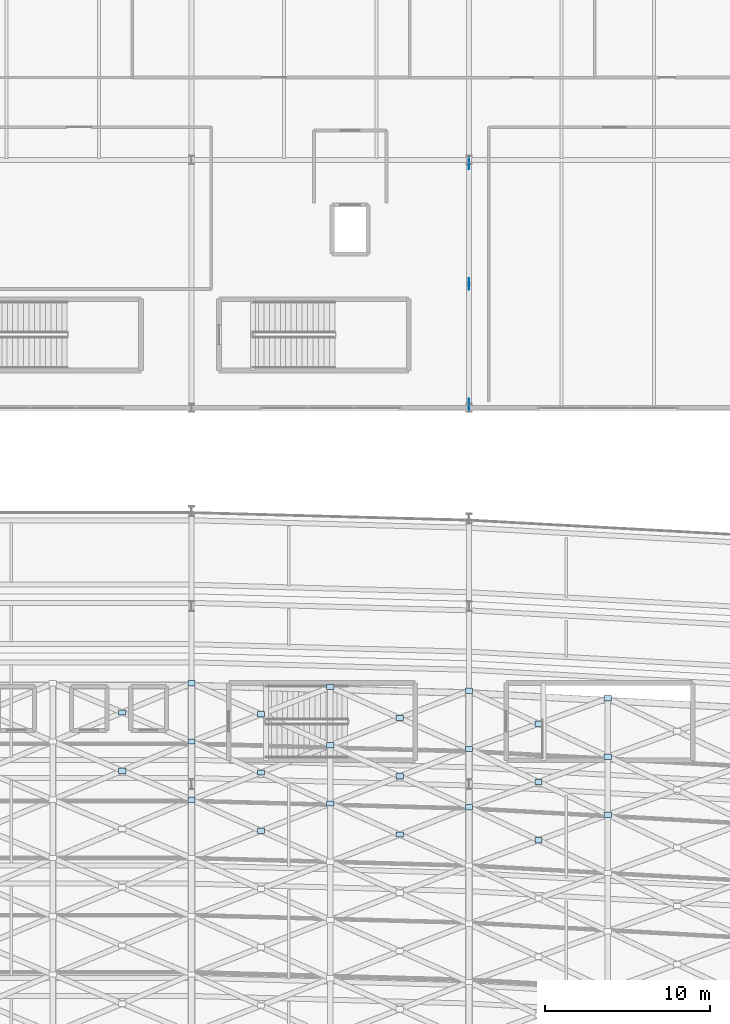
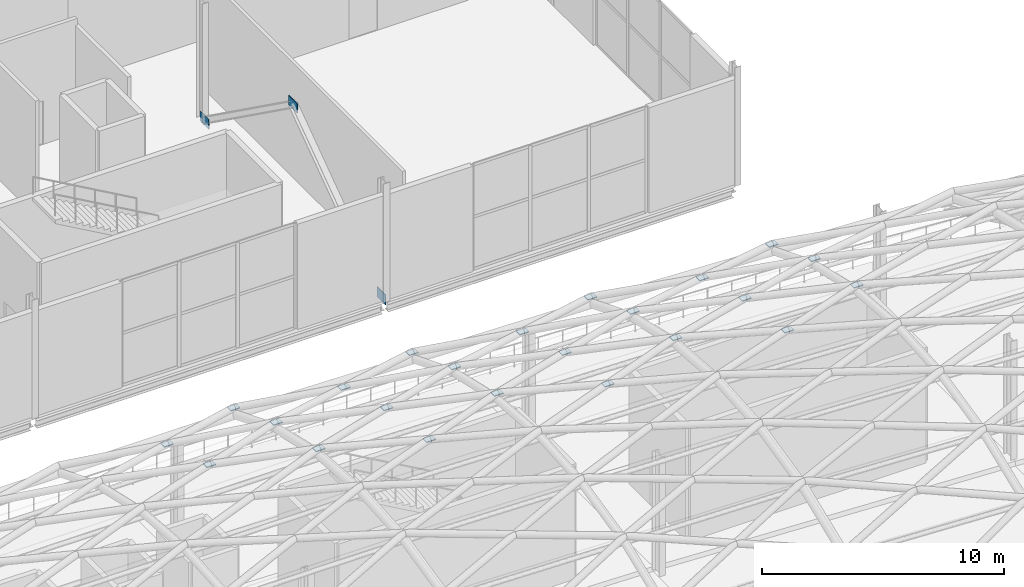
# One storey, part 77 of 100: 26 plates.
"""IFC4 building model written with IfcOpenShell, lengths in metres."""

from ifc_helpers import new_model, si_unit, direction, frame, origin, origin_2d, place, context, subcontext, project, spatial, rectangle, extrude, material, layer, layer_set, type_object, element, save


model = new_model("IFC4")

# Units and contexts
model_context = context("Model", 3, precision=1e-05, world=origin(), true_north=direction((0.0, 1.0)))
body_context = subcontext(model_context, "Body", "Model", "MODEL_VIEW")
ifc_project = project(units=[si_unit("LENGTHUNIT", "METRE"), si_unit("AREAUNIT", "SQUARE_METRE"), si_unit("VOLUMEUNIT", "CUBIC_METRE"), si_unit("PLANEANGLEUNIT", "RADIAN"), si_unit("MASSUNIT", "GRAM", prefix="KILO")], contexts=[model_context])

# Site, building, storey
site_placement = place(None, origin())
site = spatial("IfcSite", under=ifc_project, at=site_placement, CompositionType="ELEMENT")
building_placement = place(site_placement, origin())
building = spatial("IfcBuilding", under=site, at=building_placement, Name="Kimbaza Rail Terminus", CompositionType="ELEMENT")
storey_placement = place(building_placement, frame((0.0, 0.0, 10.800048828125)))
storey = spatial("IfcBuildingStorey", under=building, at=storey_placement, Name="L02", CompositionType="ELEMENT", Elevation=10.800048828125)

# Plates
ifc_material_1 = material(Name="Steel S355", Category="steel")
ifc_layer_1 = layer(ifc_material_1, 0.0400390625)
ifc_layer_set_1 = layer_set([ifc_layer_1], Name="Steel S355")
plate_type_1 = type_object("IfcPlateType", Name="STR-PL-NP01", PredefinedType="USERDEFINED", material=ifc_layer_set_1)
for number, where, z_axis, x_axis, name in (
    (1, (122.39990234375, 79.269775390625, 12.697265625), (0.0, 0.0, 1.0), (1.0, 0.0, 0.0), "Vault Node Cap Plate NP-01 VR-12/VA08"),
    (2, (122.39990234375, 82.79638671875, 11.89111328125), (0.0, 0.0, 1.0), (1.0, 0.0, 0.0), "Vault Node Cap Plate NP-01 VR-12/VA09"),
    (3, (122.39990234375, 86.322998046875, 10.479736328125), (0.0, 0.0, 1.0), (1.0, 0.0, 0.0), "Vault Node Cap Plate NP-01 VR-12/VA10"),
    (4, (130.800048828125, 79.0419921875, 12.697265625), (0.0, 0.0, 1.0), (1.0, 0.0, 0.0), "Vault Node Cap Plate NP-01 VR-13/VA08"),
    (5, (130.800048828125, 82.568603515625, 11.89111328125), (0.0, 0.0, 1.0), (1.0, 0.0, 0.0), "Vault Node Cap Plate NP-01 VR-13/VA09"),
    (6, (130.800048828125, 86.095458984375, 10.479736328125), (0.0, 0.0, 1.0), (1.0, 0.0, 0.0), "Vault Node Cap Plate NP-01 VR-13/VA10"),
    (7, (139.199951171875, 78.814208984375, 12.697265625), (0.0, 0.0, 1.0), (1.0, 0.0, 0.0), "Vault Node Cap Plate NP-01 VR-14/VA08"),
    (8, (139.199951171875, 82.341064453125, 11.89111328125), (0.0, 0.0, 1.0), (1.0, 0.0, 0.0), "Vault Node Cap Plate NP-01 VR-14/VA09"),
    (9, (139.199951171875, 85.86767578125, 10.479736328125), (0.0, 0.0, 1.0), (1.0, 0.0, 0.0), "Vault Node Cap Plate NP-01 VR-14/VA10"),
    (10, (147.60009765625, 78.3583984375, 12.697265625), (0.0, 0.0, 1.0), (1.0, 0.0, 0.0), "Vault Node Cap Plate NP-01 VR-15/VA08"),
    (11, (147.60009765625, 81.885009765625, 11.89111328125), (0.0, 0.0, 1.0), (1.0, 0.0, 0.0), "Vault Node Cap Plate NP-01 VR-15/VA09"),
    (12, (147.60009765625, 85.41162109375, 10.479736328125), (0.0, 0.0, 1.0), (1.0, 0.0, 0.0), "Vault Node Cap Plate NP-01 VR-15/VA10"),
    (13, (118.199951171875, 81.032958984375, 12.294189453125), (0.0, 0.0, 1.0), (1.0, 0.0, 0.0), "Vault Crossing Saddle Node Plate NP-01 VR-11/VA08"),
    (14, (118.199951171875, 84.559814453125, 11.185546875), (0.0, 0.0, 1.0), (1.0, 0.0, 0.0), "Vault Crossing Saddle Node Plate NP-01 VR-11/VA09"),
    (15, (126.60009765625, 77.392578125, 12.82861328125), (0.0, 0.0, 1.0), (1.0, 0.0, 0.0), "Vault Crossing Saddle Node Plate NP-01 VR-12/VA07"),
    (16, (126.60009765625, 80.919189453125, 12.294189453125), (0.0, 0.0, 1.0), (1.0, 0.0, 0.0), "Vault Crossing Saddle Node Plate NP-01 VR-12/VA08"),
    (17, (126.60009765625, 84.44580078125, 11.185546875), (0.0, 0.0, 1.0), (1.0, 0.0, 0.0), "Vault Crossing Saddle Node Plate NP-01 VR-12/VA09"),
    (18, (135.0, 77.164794921875, 12.82861328125), (0.0, 0.0, 1.0), (1.0, 0.0, 0.0), "Vault Crossing Saddle Node Plate NP-01 VR-13/VA07"),
    (19, (135.0, 80.69140625, 12.294189453125), (0.0, 0.0, 1.0), (1.0, 0.0, 0.0), "Vault Crossing Saddle Node Plate NP-01 VR-13/VA08"),
    (20, (135.0, 84.21826171875, 11.185546875), (0.0, 0.0, 1.0), (1.0, 0.0, 0.0), "Vault Crossing Saddle Node Plate NP-01 VR-13/VA09"),
    (21, (143.39990234375, 76.822998046875, 12.82861328125), (0.0, 0.0, 1.0), (1.0, 0.0, 0.0), "Vault Crossing Saddle Node Plate NP-01 VR-14/VA07"),
    (22, (143.39990234375, 80.349609375, 12.294189453125), (0.0, 0.0, 1.0), (1.0, 0.0, 0.0), "Vault Crossing Saddle Node Plate NP-01 VR-14/VA08"),
    (23, (143.39990234375, 83.87646484375, 11.185546875), (0.0, 0.0, 1.0), (1.0, 0.0, 0.0), "Vault Crossing Saddle Node Plate NP-01 VR-14/VA09"),
):
    element("IfcPlate", number, at=place(storey_placement, frame(where, z_axis=z_axis, x_axis=x_axis)), inside=storey, type_object=plate_type_1, Name=name, ObjectType="GUSSET PLATE", PredefinedType="USERDEFINED", context=body_context, shape_type="SweptSolid", body=[
        extrude(rectangle(XDim=0.43994140625, YDim=0.320068359375, at=origin_2d()), origin(), (0.0, 0.0, 1.0), 0.0400390625),
    ])
ifc_material_2 = material(Name="Steel S355", Category="steel")
ifc_layer_2 = layer(ifc_material_2, 0.034912109375)
ifc_layer_set_2 = layer_set([ifc_layer_2], Name="Steel S355")
plate_type_2 = type_object("IfcPlateType", Name="STR-PL-WT01", PredefinedType="USERDEFINED", material=ifc_layer_set_2)
for number, where, z_axis, x_axis, name in (
    (24, (139.199951171875, 103.179931640625, -0.199951171875), (0.0, 0.0, 1.0), (1.0, 0.0, 0.0), "Chevron Brace Gusset Plate GP-01 7-S"),
    (25, (139.199951171875, 110.5, 5.050048828125), (0.0, 0.0, 1.0), (1.0, 0.0, 0.0), "Chevron Brace Gusset Plate GP-01 7-M"),
    (26, (139.199951171875, 117.820068359375, -0.199951171875), (0.0, 0.0, 1.0), (1.0, 0.0, 0.0), "Chevron Brace Gusset Plate GP-01 7-N"),
):
    element("IfcPlate", number, at=place(storey_placement, frame(where, z_axis=z_axis, x_axis=x_axis)), inside=storey, type_object=plate_type_2, Name=name, ObjectType="GUSSET PLATE", PredefinedType="USERDEFINED", context=body_context, shape_type="SweptSolid", body=[
        extrude(rectangle(XDim=0.034912109375, YDim=0.719970703125, at=origin_2d()), origin(), (0.0, 0.0, 1.0), 0.5),
    ])

save(model, "model.ifc")
